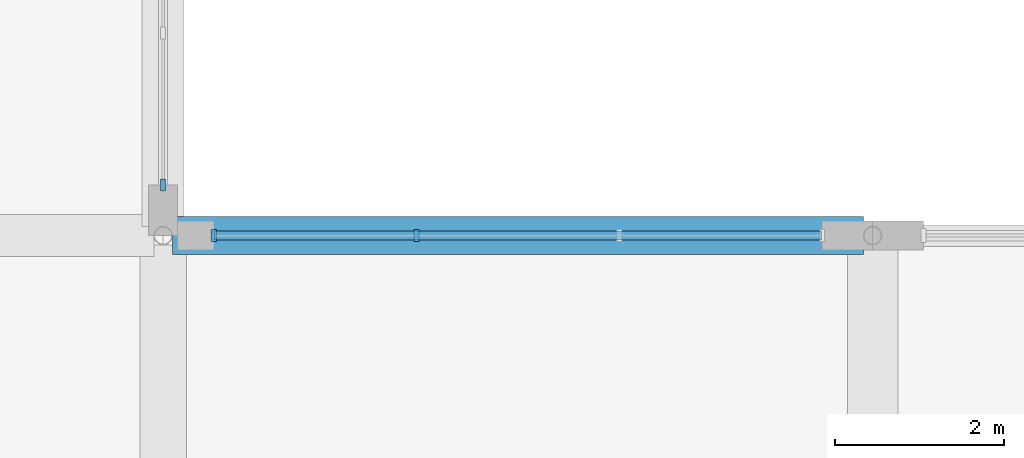
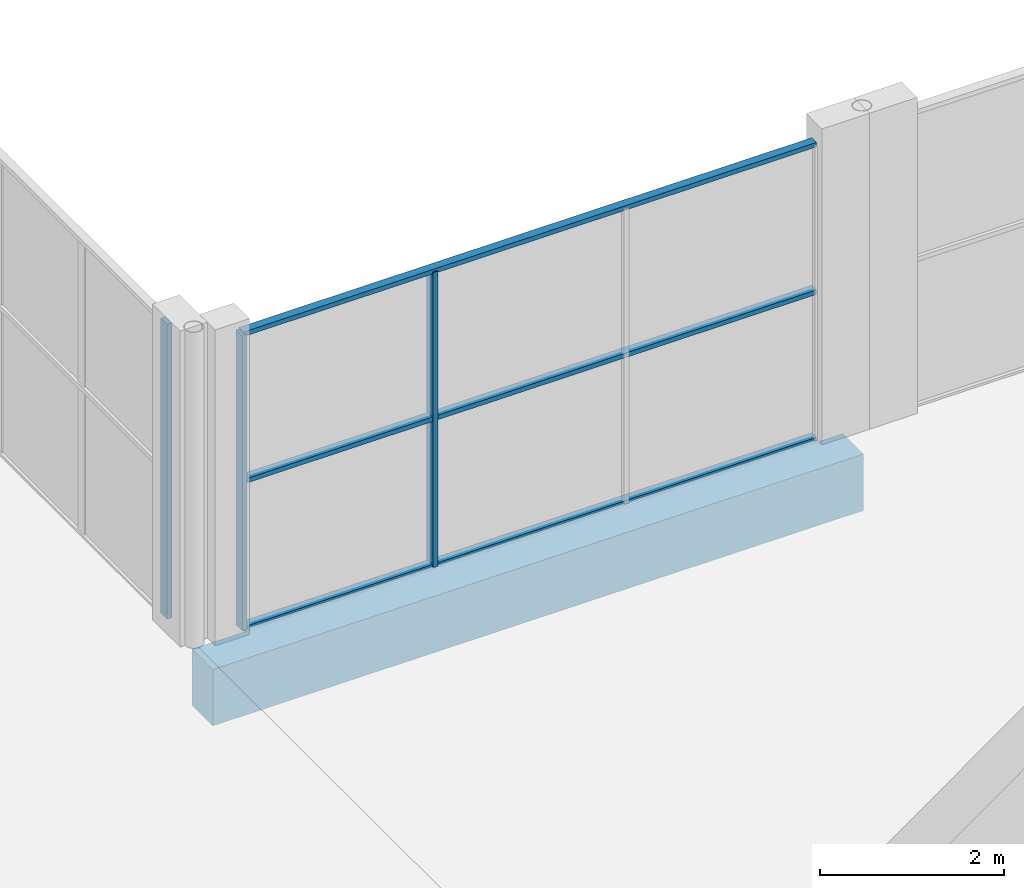
# One storey, part 14 of 59: 6 members, 1 beam, 2 elements without a shape of their own.
"""IFC4 building model written with IfcOpenShell, lengths in metres."""

from ifc_helpers import new_model, si_unit, derived_unit, direction, frame, origin, origin_2d, place, context, subcontext, project, spatial, rectangle, extrude, material, material_profile, profile_set, type_object, element, aggregate, save


model = new_model("IFC4")

# Units and contexts
model_context = context("Model", 3, precision=1e-05, world=origin(), true_north=direction((0.0, 1.0)))
body_context = subcontext(model_context, "Body", "Model", "MODEL_VIEW")
ifc_project = project(units=[si_unit("LENGTHUNIT", "METRE"), si_unit("AREAUNIT", "SQUARE_METRE"), si_unit("VOLUMEUNIT", "CUBIC_METRE"), si_unit("PLANEANGLEUNIT", "RADIAN"), si_unit("MASSUNIT", "GRAM", prefix="KILO"), derived_unit("THERMALTRANSMITTANCEUNIT", [(si_unit("POWERUNIT", "WATT"), 1), (si_unit("LENGTHUNIT", "METRE"), -2), (si_unit("THERMODYNAMICTEMPERATUREUNIT", "KELVIN"), -1)])], contexts=[model_context])

# Site, building, storey
site_placement = place(None, origin())
site = spatial("IfcSite", under=ifc_project, at=site_placement, CompositionType="ELEMENT")
building_placement = place(site_placement, origin())
building = spatial("IfcBuilding", under=site, at=building_placement, Name="Barrovel Congress Hotel", CompositionType="ELEMENT")
storey_placement = place(building_placement, frame((0.0, 0.0, 9.89990234375)))
storey = spatial("IfcBuildingStorey", under=building, at=storey_placement, Name="L02", CompositionType="ELEMENT", Elevation=9.89990234375)

# Beam
ifc_material_1 = material(Name="Concrete C40", Category="concrete")
ifc_material_profile_1 = material_profile(ifc_material_1, rectangle(XDim=0.449951171875, YDim=0.75, at=origin_2d()), Name="RC450x750")
ifc_profile_set_1 = profile_set([ifc_material_profile_1], Name="Concrete C40")
beam_type = type_object("IfcBeamType", Name="BM-RC450x750", PredefinedType="BEAM", material=ifc_profile_set_1)
beam_placement = place(storey_placement, frame((58.909423828125, 46.199951171875, -0.635009765625), z_axis=(1.0, 0.0, 0.0), x_axis=(0.0, 1.0, 0.0)))
element("IfcBeam", 1, at=beam_placement, inside=storey, type_object=beam_type, Name="BMX:L02:46.2:58.8-67.2", PredefinedType="BEAM", context=body_context, shape_type="SweptSolid", body=[
    extrude(rectangle(XDim=0.449951171875, YDim=0.75, at=origin_2d()), origin(), (0.0, 0.0, 1.0), 8.18115234375),
])

# Curtain wall, member
ifc_material_2 = material(Name="Anodised Aluminium Alloy 6063-T6", Category="aluminium")
curtain_wall_type = type_object("IfcCurtainWallType", Name="CW-ST-7200x3600", PredefinedType="USERDEFINED", material=ifc_material_2)
curtain_wall_1_placement = place(storey_placement, origin())
curtain_wall_1 = element("IfcCurtainWall", 2, at=curtain_wall_1_placement, inside=storey, type_object=curtain_wall_type, Name="CW:L02:CW:46.2", ObjectType="STICK CURTAIN WALL", PredefinedType="USERDEFINED")
ifc_material_profile_2 = material_profile(ifc_material_2, rectangle(XDim=0.06005859375, YDim=0.139892578125, at=origin_2d()), Name="AL-M60x140")
ifc_profile_set_2 = profile_set([ifc_material_profile_2], Name="Anodised Aluminium Alloy 6063-T6")
member_type_1 = type_object("IfcMemberType", Name="CWM-AL-M60x140", PredefinedType="MULLION", material=ifc_profile_set_2)
member_1_placement = place(storey_placement, frame((58.800048828125, 46.800048828125, 0.0), z_axis=(0.0, 0.0, 1.0), x_axis=(1.0, 0.0, 0.0)))
member_1 = element("IfcMember", 3, at=member_1_placement, type_object=member_type_1, Name="CW:L02:CW:46.2:M0", PredefinedType="MULLION", context=body_context, shape_type="SweptSolid", body=[
    extrude(rectangle(XDim=0.06005859375, YDim=0.139892578125, at=origin_2d()), origin(), (0.0, 0.0, 1.0), 3.920166015625),
])
aggregate(curtain_wall_1, [member_1])

# Curtain wall, members
curtain_wall_2_placement = place(storey_placement, origin())
curtain_wall_2 = element("IfcCurtainWall", 4, at=curtain_wall_2_placement, inside=storey, type_object=curtain_wall_type, Name="CW:L02:CL:07", ObjectType="STICK CURTAIN WALL", PredefinedType="USERDEFINED")
member_2_placement = place(storey_placement, frame((61.800048828125, 46.199951171875, 0.0), z_axis=(0.0, 0.0, 1.0), x_axis=(1.0, 0.0, 0.0)))
member_2 = element("IfcMember", 5, at=member_2_placement, type_object=member_type_1, Name="CW:L02:CL:07:M2", PredefinedType="MULLION", context=body_context, shape_type="SweptSolid", body=[
    extrude(rectangle(XDim=0.06005859375, YDim=0.139892578125, at=origin_2d()), origin(), (0.0, 0.0, 1.0), 3.920166015625),
])
member_3_placement = place(storey_placement, frame((59.39990234375, 46.199951171875, 0.0), z_axis=(0.0, 0.0, 1.0), x_axis=(1.0, 0.0, 0.0)))
member_3 = element("IfcMember", 6, at=member_3_placement, type_object=member_type_1, Name="CW:L02:CL:07:M3", PredefinedType="MULLION", context=body_context, shape_type="SweptSolid", body=[
    extrude(rectangle(XDim=0.06005859375, YDim=0.139892578125, at=origin_2d()), origin(), (0.0, 0.0, 1.0), 3.920166015625),
])
ifc_material_profile_3 = material_profile(ifc_material_2, rectangle(XDim=0.10498046875, YDim=0.06005859375, at=origin_2d()), Name="AL-T60x105")
ifc_profile_set_3 = profile_set([ifc_material_profile_3], Name="Anodised Aluminium Alloy 6063-T6")
member_type_2 = type_object("IfcMemberType", Name="CWT-AL-T60x105", PredefinedType="USERDEFINED", material=ifc_profile_set_3)
member_4_placement = place(storey_placement, frame((66.60009765625, 46.199951171875, 0.0), z_axis=(-1.0, 0.0, 0.0), x_axis=(0.0, -1.0, 0.0)))
member_4 = element("IfcMember", 7, at=member_4_placement, type_object=member_type_2, Name="CW:L02:CL:07:T0", ObjectType="TRANSOM", PredefinedType="USERDEFINED", context=body_context, shape_type="SweptSolid", body=[
    extrude(rectangle(XDim=0.10498046875, YDim=0.06005859375, at=origin_2d()), origin(), (0.0, 0.0, 1.0), 7.2001953125),
])
member_5_placement = place(storey_placement, frame((66.60009765625, 46.199951171875, 1.960205078125), z_axis=(-1.0, 0.0, 0.0), x_axis=(0.0, -1.0, 0.0)))
member_5 = element("IfcMember", 8, at=member_5_placement, type_object=member_type_2, Name="CW:L02:CL:07:T1", ObjectType="TRANSOM", PredefinedType="USERDEFINED", context=body_context, shape_type="SweptSolid", body=[
    extrude(rectangle(XDim=0.10498046875, YDim=0.06005859375, at=origin_2d()), origin(), (0.0, 0.0, 1.0), 7.2001953125),
])
member_6_placement = place(storey_placement, frame((66.60009765625, 46.199951171875, 3.920166015625), z_axis=(-1.0, 0.0, 0.0), x_axis=(0.0, -1.0, 0.0)))
member_6 = element("IfcMember", 9, at=member_6_placement, type_object=member_type_2, Name="CW:L02:CL:07:T2", ObjectType="TRANSOM", PredefinedType="USERDEFINED", context=body_context, shape_type="SweptSolid", body=[
    extrude(rectangle(XDim=0.10498046875, YDim=0.06005859375, at=origin_2d()), origin(), (0.0, 0.0, 1.0), 7.2001953125),
])
aggregate(curtain_wall_2, [member_2, member_3, member_4, member_5, member_6])

save(model, "model.ifc")
